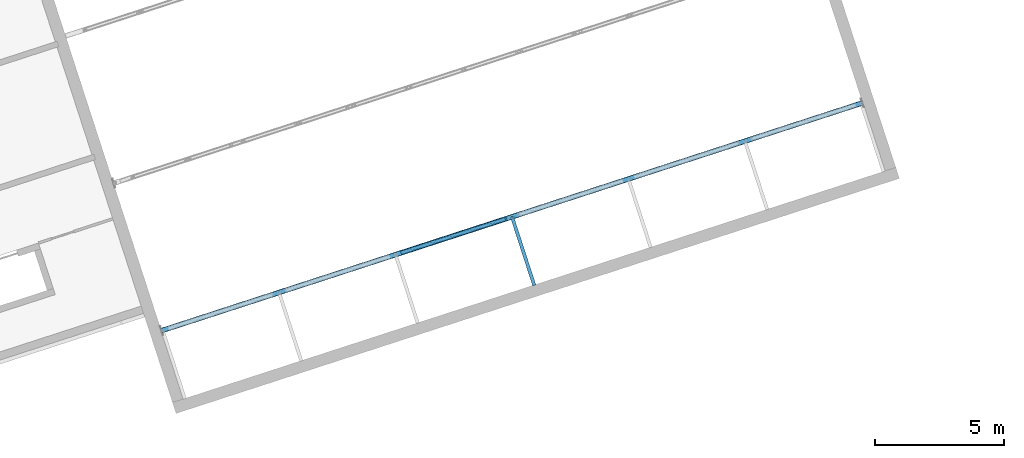
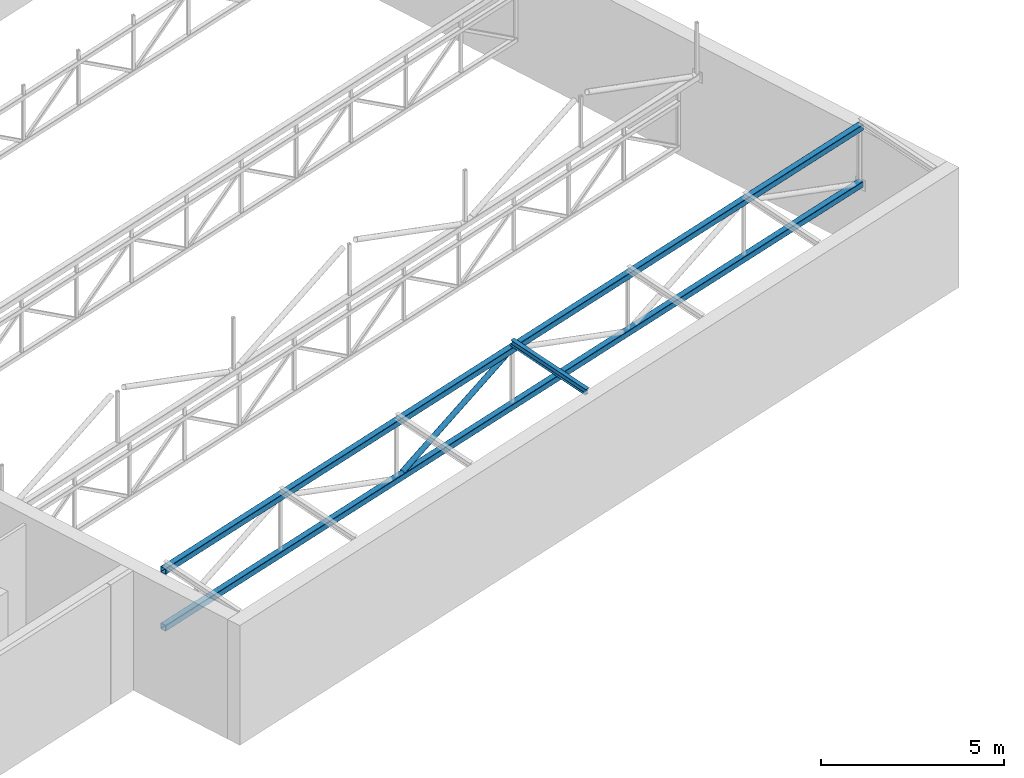
# One storey, part 9 of 81: 4 members.
"""IFC4 building model written with IfcOpenShell, lengths in metres."""

from ifc_helpers import new_model, si_unit, direction, frame, origin, origin_2d, place, context, subcontext, project, spatial, hollow_rectangle, hollow_circle, i_section, extrude, material, material_profile, profile_set, type_object, element, save


model = new_model("IFC4")

# Units and contexts
model_context = context("Model", 3, precision=1e-05, world=origin(), true_north=direction((0.0, 1.0)))
body_context = subcontext(model_context, "Body", "Model", "MODEL_VIEW")
ifc_project = project(units=[si_unit("LENGTHUNIT", "METRE"), si_unit("AREAUNIT", "SQUARE_METRE"), si_unit("VOLUMEUNIT", "CUBIC_METRE"), si_unit("PLANEANGLEUNIT", "RADIAN"), si_unit("MASSUNIT", "GRAM", prefix="KILO")], contexts=[model_context])

# Site, building, storey
site_placement = place(None, origin())
site = spatial("IfcSite", under=ifc_project, at=site_placement, CompositionType="ELEMENT")
building_placement = place(site_placement, origin())
building = spatial("IfcBuilding", under=site, at=building_placement, Name="Tuart Plaza Theatre", CompositionType="ELEMENT")
storey_placement = place(building_placement, frame((0.0, 0.0, 17.5)))
storey = spatial("IfcBuildingStorey", under=building, at=storey_placement, Name="L04", CompositionType="ELEMENT", Elevation=17.5)

# Members
ifc_material_1 = material(Name="Steel Grade C350L0", Category="steel")
ifc_material_profile_1 = material_profile(ifc_material_1, hollow_circle(Radius=0.084228515625, WallThickness=0.00634765625, at=origin_2d()), Name="168.3x6.4 CHS")
ifc_profile_set_1 = profile_set([ifc_material_profile_1], Name="Steel Grade C350L0")
member_type_1 = type_object("IfcMemberType", Name="MEMBER Brace 168.3x6.4 CHS", PredefinedType="BRACE", material=ifc_profile_set_1)
member_1_placement = place(storey_placement, frame((58.591064453125, 47.94580078125, 2.307373046875), z_axis=(0.882822840615, 0.286849316519, 0.371942605385), x_axis=(-0.309019710385, 0.951055633806, 0.0)))
element("IfcMember", 1, at=member_1_placement, inside=storey, type_object=member_type_1, Name="BR3", PredefinedType="BRACE", context=body_context, shape_type="SweptSolid", body=[
    extrude(hollow_circle(Radius=0.084228515625, WallThickness=0.00634765625, at=origin_2d()), origin(), (0.0, 0.0, 1.0), 4.570556640625),
])
ifc_material_2 = material(Name="Steel Grade C350L0", Category="steel")
ifc_material_profile_2 = material_profile(ifc_material_2, hollow_rectangle(XDim=0.199951171875, YDim=0.199951171875, WallThickness=0.010009765625, InnerFilletRadius=0.010009765625, OuterFilletRadius=0.02001953125, at=origin_2d()), Name="200x200x10 SHS")
ifc_profile_set_2 = profile_set([ifc_material_profile_2], Name="Steel Grade C350L0")
member_type_2 = type_object("IfcMemberType", Name="MEMBER Chord 200x200x10 SHS", PredefinedType="CHORD", material=ifc_profile_set_2)
for number, where, z_axis, x_axis, name in (
    (2, (49.286865234375, 44.922607421875, 2.207275390625), (0.951056312165, 0.309017622621, 0.0), (-0.309017622621, 0.951056312165, 0.0), "CH1"),
    (3, (49.286865234375, 44.922607421875, 4.107421875), (0.951056312165, 0.309017622621, 0.0), (-0.309017622621, 0.951056312165, 0.0), "CH2"),
):
    element("IfcMember", number, at=place(storey_placement, frame(where, z_axis=z_axis, x_axis=x_axis)), inside=storey, type_object=member_type_2, Name=name, PredefinedType="CHORD", context=body_context, shape_type="SweptSolid", body=[
        extrude(hollow_rectangle(XDim=0.199951171875, YDim=0.199951171875, WallThickness=0.010009765625, InnerFilletRadius=0.010009765625, OuterFilletRadius=0.02001953125, at=origin_2d()), origin(), (0.0, 0.0, 1.0), 28.55029296875),
    ])
ifc_material_3 = material(Name="Steel Grade 300", Category="steel")
ifc_material_profile_3 = material_profile(ifc_material_3, i_section(OverallWidth=0.133056640625, OverallDepth=0.202880859375, WebThickness=0.005859375, FlangeThickness=0.0078125, FilletRadius=0.0087890625, at=origin_2d()), Name="200UB25.4")
ifc_profile_set_3 = profile_set([ifc_material_profile_3], Name="Steel Grade 300")
member_type_3 = type_object("IfcMemberType", Name="MEMBER Purlin 200UB25.4", PredefinedType="PURLIN", material=ifc_profile_set_3)
member_2_placement = place(storey_placement, frame((63.720703125, 46.69482421875, 3.95654296875), z_axis=(-0.306327065915, 0.942880291158, 0.130921675951), x_axis=(-0.951066390921, -0.30898660175, 0.0)))
element("IfcMember", 4, at=member_2_placement, inside=storey, type_object=member_type_3, Name="PU19", PredefinedType="PURLIN", context=body_context, shape_type="SweptSolid", body=[
    extrude(i_section(OverallWidth=0.133056640625, OverallDepth=0.202880859375, WebThickness=0.005859375, FlangeThickness=0.0078125, FilletRadius=0.0087890625, at=origin_2d()), origin(), (0.0, 0.0, 1.0), 2.799072265625),
])

save(model, "model.ifc")
